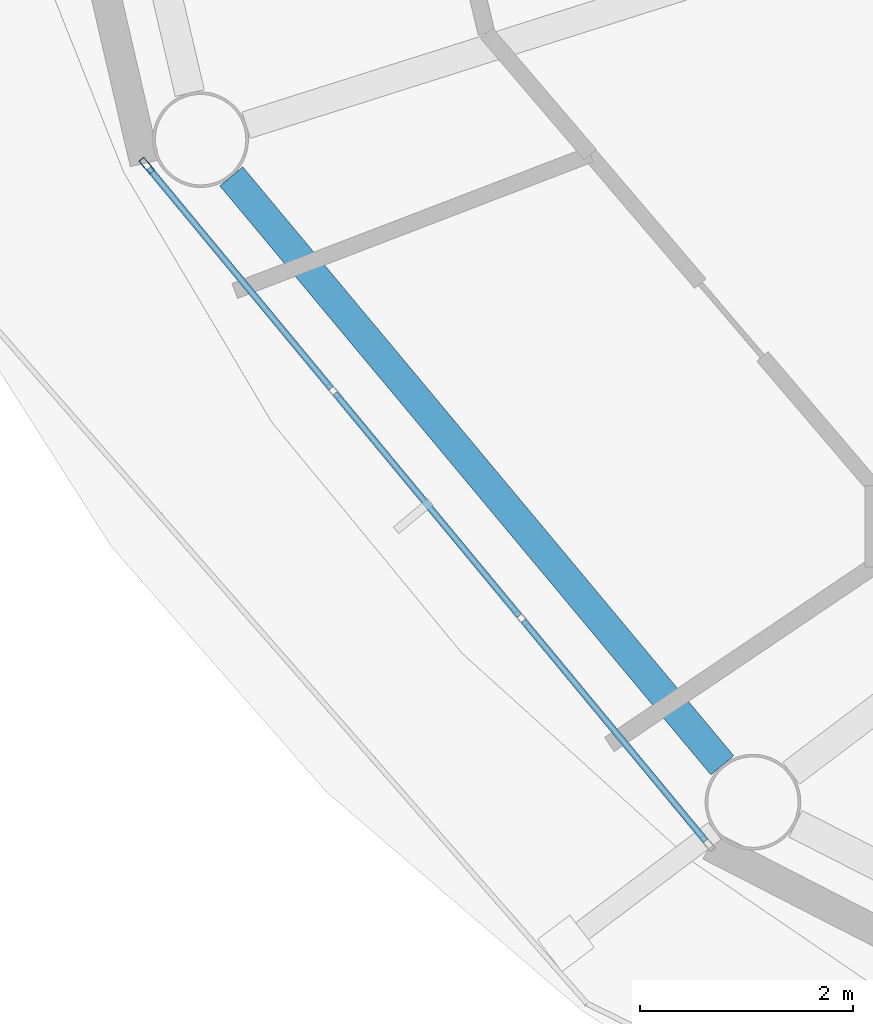
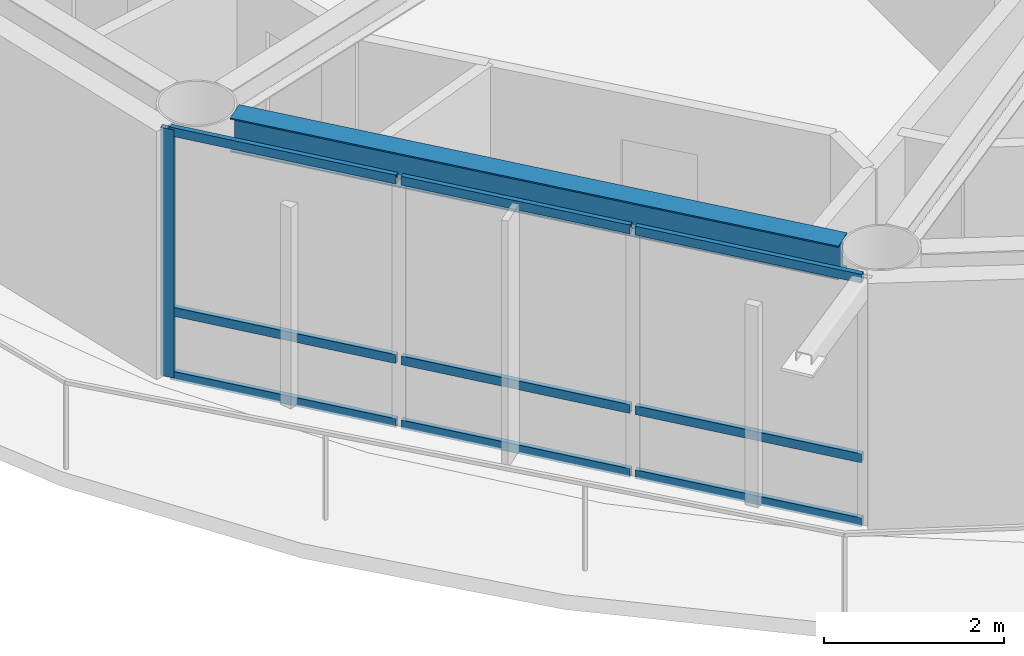
# One storey, part 3 of 22: 10 members, 1 beam, 1 element without a shape of its own.
"""IFC4 building model written with IfcOpenShell, lengths in metres."""

from ifc_helpers import new_model, si_unit, direction, frame, origin, origin_2d, place, context, subcontext, project, spatial, hollow_rectangle, i_section, extrude, material, layer, layer_set, material_profile, profile_set, type_object, element, aggregate, save


model = new_model("IFC4")

# Units and contexts
model_context = context("Model", 3, precision=1e-05, world=origin(), true_north=direction((0.0, 1.0)))
body_context = subcontext(model_context, "Body", "Model", "MODEL_VIEW")
ifc_project = project(units=[si_unit("LENGTHUNIT", "METRE"), si_unit("AREAUNIT", "SQUARE_METRE"), si_unit("VOLUMEUNIT", "CUBIC_METRE"), si_unit("PLANEANGLEUNIT", "RADIAN"), si_unit("MASSUNIT", "GRAM", prefix="KILO")], contexts=[model_context])

# Site, building, storey
site_placement = place(None, origin())
site = spatial("IfcSite", under=ifc_project, at=site_placement, CompositionType="ELEMENT")
building_placement = place(site_placement, origin())
building = spatial("IfcBuilding", under=site, at=building_placement, Name="Sarneth Arch Tower", CompositionType="ELEMENT")
storey_placement = place(building_placement, frame((0.0, 0.0, 298.199951171875)))
storey = spatial("IfcBuildingStorey", under=building, at=storey_placement, Name="L77", CompositionType="ELEMENT", Elevation=298.199951171875)

# Beam
ifc_material_1 = material(Name="Steel S355", Category="steel")
ifc_material_profile_1 = material_profile(ifc_material_1, i_section(OverallWidth=0.280029296875, OverallDepth=0.462890625, WebThickness=0.0107421875, FlangeThickness=0.017333984375, FilletRadius=0.01806640625, at=origin_2d()), Name="W460x113")
ifc_profile_set_1 = profile_set([ifc_material_profile_1], Name="Steel S355")
beam_type = type_object("IfcBeamType", Name="BM-RAD-460A", PredefinedType="BEAM", material=ifc_profile_set_1)
beam_placement = place(storey_placement, frame((25.119384765625, 34.306884765625, 3.138427734375), z_axis=(0.640390876881, -0.768049168222, 0.0), x_axis=(0.768049168222, 0.640390876881, 0.0)))
element("IfcBeam", 1, at=beam_placement, inside=storey, type_object=beam_type, Name="L77 Perimeter spandrel beam 10", PredefinedType="BEAM", context=body_context, shape_type="SweptSolid", body=[
    extrude(i_section(OverallWidth=0.280029296875, OverallDepth=0.462890625, WebThickness=0.0107421875, FlangeThickness=0.017333984375, FilletRadius=0.01806640625, at=origin_2d()), origin(), (0.0, 0.0, 1.0), 7.2099609375),
])

# Curtain wall, members
ifc_material_2 = material(Name="Anodised aluminium Type AA25 and solar-control low-e laminated IGU", Category="aluminium")
ifc_layer = layer(ifc_material_2, 0.179931640625)
ifc_layer_set = layer_set([ifc_layer], Name="Anodised aluminium Type AA25 and solar-control low-e laminated IGU")
curtain_wall_type = type_object("IfcCurtainWallType", Name="CW-RES-HIGH", PredefinedType="NOTDEFINED", material=ifc_layer_set)
curtain_wall_placement = place(storey_placement, origin())
curtain_wall = element("IfcCurtainWall", 2, at=curtain_wall_placement, inside=storey, type_object=curtain_wall_type, Name="L77 Unitised curtain wall facet 10", PredefinedType="NOTDEFINED")
ifc_material_3 = material(Name="Anodised Aluminium 6063-T6", Category="aluminium")
ifc_material_profile_2 = material_profile(ifc_material_3, hollow_rectangle(XDim=0.06005859375, YDim=0.159912109375, WallThickness=0.00390625, at=origin_2d()), Name="AL-MULL-160x60x4")
ifc_profile_set_2 = profile_set([ifc_material_profile_2], Name="Anodised Aluminium 6063-T6")
member_type_1 = type_object("IfcMemberType", Name="CW-MULLION", PredefinedType="MULLION", material=ifc_profile_set_2)
member_1_placement = place(storey_placement, frame((24.325439453125, 34.407470703125, 0.0), z_axis=(0.0, 0.0, 1.0), x_axis=(0.770359245933, 0.637610094184, 0.0)))
member_1 = element("IfcMember", 3, at=member_1_placement, type_object=member_type_1, Name="CW-SYS-6 mullion 1", PredefinedType="MULLION", context=body_context, shape_type="SweptSolid", body=[
    extrude(hollow_rectangle(XDim=0.06005859375, YDim=0.159912109375, WallThickness=0.00390625, at=origin_2d()), origin(), (0.0, 0.0, 1.0), 3.3701171875),
])
ifc_material_4 = material(Name="Anodised Aluminium 6063-T6", Category="aluminium")
ifc_material_profile_3 = material_profile(ifc_material_4, hollow_rectangle(XDim=0.06005859375, YDim=0.1201171875, WallThickness=0.00390625, at=origin_2d()), Name="AL-TRAN-120x60x4")
ifc_profile_set_3 = profile_set([ifc_material_profile_3], Name="Anodised Aluminium 6063-T6")
member_type_2 = type_object("IfcMemberType", Name="CW-TRANSOM", PredefinedType="USERDEFINED", material=ifc_profile_set_3)
member_2_placement = place(storey_placement, frame((24.344482421875, 34.38427734375, 0.030029296875), z_axis=(0.637651400067, -0.770325056059, 0.0), x_axis=(0.770325056059, 0.637651400067, 0.0)))
member_2 = element("IfcMember", 4, at=member_2_placement, type_object=member_type_2, Name="CW-SYS-6 transom 1.1", ObjectType="TRANSOM", PredefinedType="USERDEFINED", context=body_context, shape_type="SweptSolid", body=[
    extrude(hollow_rectangle(XDim=0.06005859375, YDim=0.1201171875, WallThickness=0.00390625, at=origin_2d()), origin(), (0.0, 0.0, 1.0), 2.6865234375),
])
member_3_placement = place(storey_placement, frame((24.344482421875, 34.38427734375, 0.900146484375), z_axis=(0.637651400067, -0.770325056059, 0.0), x_axis=(0.770325056059, 0.637651400067, 0.0)))
member_3 = element("IfcMember", 5, at=member_3_placement, type_object=member_type_2, Name="CW-SYS-6 transom 1.2", ObjectType="TRANSOM", PredefinedType="USERDEFINED", context=body_context, shape_type="SweptSolid", body=[
    extrude(hollow_rectangle(XDim=0.06005859375, YDim=0.1201171875, WallThickness=0.00390625, at=origin_2d()), origin(), (0.0, 0.0, 1.0), 2.6865234375),
])
member_4_placement = place(storey_placement, frame((24.344482421875, 34.38427734375, 3.340087890625), z_axis=(0.637651400067, -0.770325056059, 0.0), x_axis=(0.770325056059, 0.637651400067, 0.0)))
member_4 = element("IfcMember", 6, at=member_4_placement, type_object=member_type_2, Name="CW-SYS-6 transom 1.3", ObjectType="TRANSOM", PredefinedType="USERDEFINED", context=body_context, shape_type="SweptSolid", body=[
    extrude(hollow_rectangle(XDim=0.06005859375, YDim=0.1201171875, WallThickness=0.00390625, at=origin_2d()), origin(), (0.0, 0.0, 1.0), 2.6865234375),
])
member_5_placement = place(storey_placement, frame((26.095703125, 32.268310546875, 0.030029296875), z_axis=(0.637617371902, -0.770353222261, 0.0), x_axis=(0.770353222261, 0.637617371902, 0.0)))
member_5 = element("IfcMember", 7, at=member_5_placement, type_object=member_type_2, Name="CW-SYS-6 transom 2.1", ObjectType="TRANSOM", PredefinedType="USERDEFINED", context=body_context, shape_type="SweptSolid", body=[
    extrude(hollow_rectangle(XDim=0.06005859375, YDim=0.1201171875, WallThickness=0.00390625, at=origin_2d()), origin(), (0.0, 0.0, 1.0), 2.716552734375),
])
member_6_placement = place(storey_placement, frame((26.095703125, 32.268310546875, 0.900146484375), z_axis=(0.637617371902, -0.770353222261, 0.0), x_axis=(0.770353222261, 0.637617371902, 0.0)))
member_6 = element("IfcMember", 8, at=member_6_placement, type_object=member_type_2, Name="CW-SYS-6 transom 2.2", ObjectType="TRANSOM", PredefinedType="USERDEFINED", context=body_context, shape_type="SweptSolid", body=[
    extrude(hollow_rectangle(XDim=0.06005859375, YDim=0.1201171875, WallThickness=0.00390625, at=origin_2d()), origin(), (0.0, 0.0, 1.0), 2.716552734375),
])
member_7_placement = place(storey_placement, frame((26.095703125, 32.268310546875, 3.340087890625), z_axis=(0.637617371902, -0.770353222261, 0.0), x_axis=(0.770353222261, 0.637617371902, 0.0)))
member_7 = element("IfcMember", 9, at=member_7_placement, type_object=member_type_2, Name="CW-SYS-6 transom 2.3", ObjectType="TRANSOM", PredefinedType="USERDEFINED", context=body_context, shape_type="SweptSolid", body=[
    extrude(hollow_rectangle(XDim=0.06005859375, YDim=0.1201171875, WallThickness=0.00390625, at=origin_2d()), origin(), (0.0, 0.0, 1.0), 2.716552734375),
])
member_8_placement = place(storey_placement, frame((27.8662109375, 30.12939453125, 0.030029296875), z_axis=(0.637606765719, -0.770362000821, 0.0), x_axis=(0.770362000821, 0.637606765719, 0.0)))
member_8 = element("IfcMember", 10, at=member_8_placement, type_object=member_type_2, Name="CW-SYS-6 transom 3.1", ObjectType="TRANSOM", PredefinedType="USERDEFINED", context=body_context, shape_type="SweptSolid", body=[
    extrude(hollow_rectangle(XDim=0.06005859375, YDim=0.1201171875, WallThickness=0.00390625, at=origin_2d()), origin(), (0.0, 0.0, 1.0), 2.686767578125),
])
member_9_placement = place(storey_placement, frame((27.8662109375, 30.12939453125, 0.900146484375), z_axis=(0.637606765719, -0.770362000821, 0.0), x_axis=(0.770362000821, 0.637606765719, 0.0)))
member_9 = element("IfcMember", 11, at=member_9_placement, type_object=member_type_2, Name="CW-SYS-6 transom 3.2", ObjectType="TRANSOM", PredefinedType="USERDEFINED", context=body_context, shape_type="SweptSolid", body=[
    extrude(hollow_rectangle(XDim=0.06005859375, YDim=0.1201171875, WallThickness=0.00390625, at=origin_2d()), origin(), (0.0, 0.0, 1.0), 2.686767578125),
])
member_10_placement = place(storey_placement, frame((27.8662109375, 30.12939453125, 3.340087890625), z_axis=(0.637606765719, -0.770362000821, 0.0), x_axis=(0.770362000821, 0.637606765719, 0.0)))
member_10 = element("IfcMember", 12, at=member_10_placement, type_object=member_type_2, Name="CW-SYS-6 transom 3.3", ObjectType="TRANSOM", PredefinedType="USERDEFINED", context=body_context, shape_type="SweptSolid", body=[
    extrude(hollow_rectangle(XDim=0.06005859375, YDim=0.1201171875, WallThickness=0.00390625, at=origin_2d()), origin(), (0.0, 0.0, 1.0), 2.686767578125),
])
aggregate(curtain_wall, [member_1, member_2, member_3, member_4, member_5, member_6, member_7, member_8, member_9, member_10])

save(model, "model.ifc")
